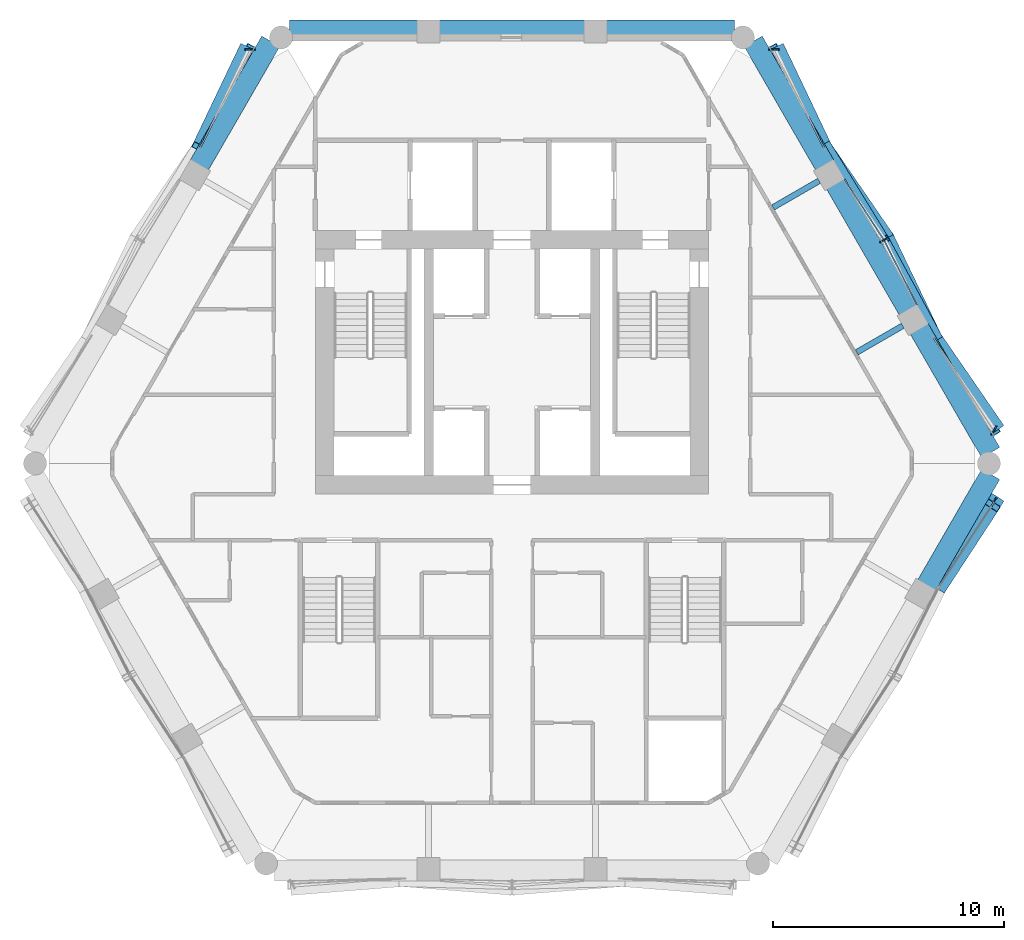
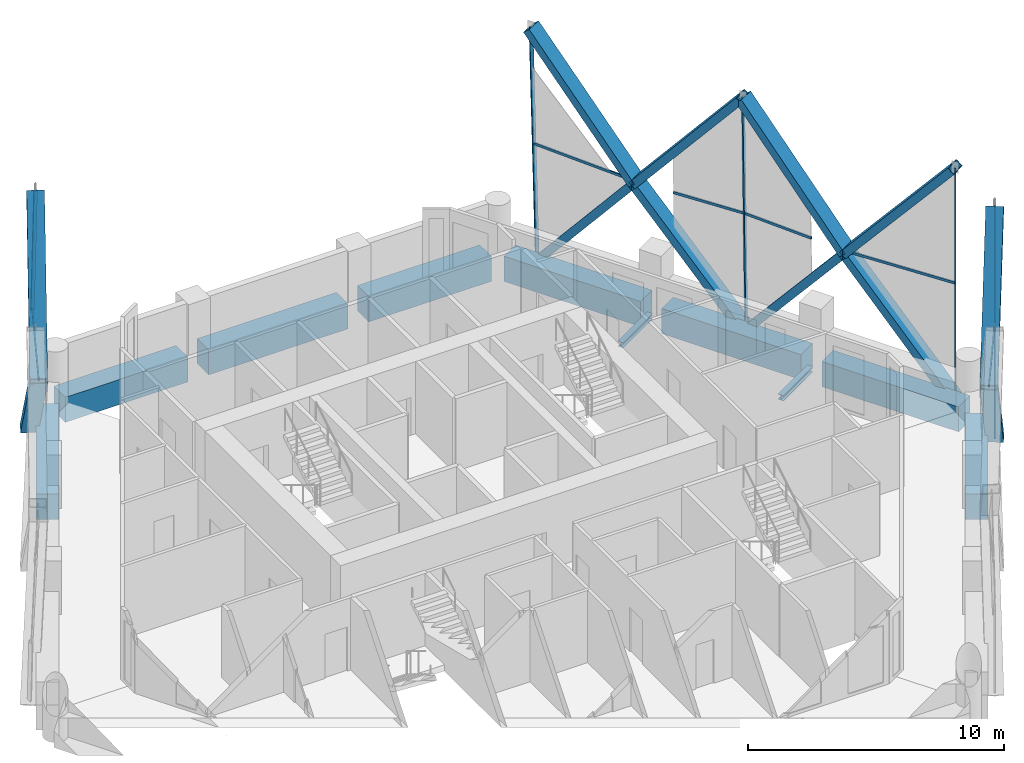
# One storey, part 7 of 18: 28 members, 10 beams, 6 elements without a shape of their own.
"""IFC4 building model written with IfcOpenShell, lengths in metres."""

from ifc_helpers import new_model, si_unit, direction, frame, origin, origin_2d, place, context, subcontext, project, spatial, rectangle, hollow_rectangle, i_section, extrude, material, material_profile, profile_set, type_object, element, aggregate, save


model = new_model("IFC4")

# Units and contexts
model_context = context("Model", 3, precision=1e-05, world=origin(), true_north=direction((0.0, 1.0)))
body_context = subcontext(model_context, "Body", "Model", "MODEL_VIEW")
ifc_project = project(units=[si_unit("LENGTHUNIT", "METRE"), si_unit("AREAUNIT", "SQUARE_METRE"), si_unit("VOLUMEUNIT", "CUBIC_METRE"), si_unit("PLANEANGLEUNIT", "RADIAN"), si_unit("MASSUNIT", "GRAM", prefix="KILO")], contexts=[model_context])

# Site, building, storey
site_placement = place(None, origin())
site = spatial("IfcSite", under=ifc_project, at=site_placement, CompositionType="ELEMENT")
building_placement = place(site_placement, origin())
building = spatial("IfcBuilding", under=site, at=building_placement, Name="Ostrander Bayou Hotel Tower", CompositionType="ELEMENT")
storey_placement = place(building_placement, frame((0.0, 0.0, 175.75)))
storey = spatial("IfcBuildingStorey", under=building, at=storey_placement, Name="L43", CompositionType="ELEMENT", Elevation=175.75)

# Curtain wall, members
ifc_material_1 = material(Name="Aluminium and clear glass", Category="aluminium")
curtain_wall_type = type_object("IfcCurtainWallType", Name="CW-LAT lattice glazing", PredefinedType="NOTDEFINED", material=ifc_material_1)
curtain_wall_1_placement = place(storey_placement, origin())
curtain_wall_1 = element("IfcCurtainWall", 1, at=curtain_wall_1_placement, inside=storey, type_object=curtain_wall_type, Name="CW-LAT L43 NW 1", PredefinedType="NOTDEFINED")
ifc_material_2 = material(Name="Aluminium", Category="aluminium")
ifc_material_profile_1 = material_profile(ifc_material_2, hollow_rectangle(XDim=0.06005859375, YDim=0.159912109375, WallThickness=0.00390625, at=origin_2d()))
ifc_profile_set_1 = profile_set([ifc_material_profile_1], Name="Aluminium")
member_type_1 = type_object("IfcMemberType", Name="CW-LA mullion 60 x 160 mm", PredefinedType="MULLION", material=ifc_profile_set_1)
member_1_placement = place(storey_placement, frame((-11.47119140625, 17.5185546875, -0.60009765625), z_axis=(0.025165638507, 0.0, 0.999683295168), x_axis=(0.0, 1.0, 0.0)))
member_1 = element("IfcMember", 2, at=member_1_placement, type_object=member_type_1, Name="CW-LAT mullion 1", PredefinedType="MULLION", context=body_context, shape_type="SweptSolid", body=[
    extrude(hollow_rectangle(XDim=0.06005859375, YDim=0.159912109375, WallThickness=0.00390625, at=origin_2d()), origin(), (0.0, 0.0, 1.0), 5.626708984375),
])
member_2_placement = place(storey_placement, frame((-11.32958984375, 17.5185546875, 5.02490234375), z_axis=(0.025208999989, 0.0, 0.999682202662), x_axis=(0.0, 1.0, 0.0)))
member_2 = element("IfcMember", 3, at=member_2_placement, type_object=member_type_1, Name="CW-LAT mullion 2", PredefinedType="MULLION", context=body_context, shape_type="SweptSolid", body=[
    extrude(hollow_rectangle(XDim=0.06005859375, YDim=0.159912109375, WallThickness=0.00390625, at=origin_2d()), origin(), (0.0, 0.0, 1.0), 5.626708984375),
])
aggregate(curtain_wall_1, [member_1, member_2])

curtain_wall_2_placement = place(storey_placement, origin())
curtain_wall_2 = element("IfcCurtainWall", 4, at=curtain_wall_2_placement, inside=storey, type_object=curtain_wall_type, Name="CW-LAT L43 SE 1", PredefinedType="NOTDEFINED")
member_3_placement = place(storey_placement, frame((20.906982421875, -1.927978515625, -0.60009765625), z_axis=(-0.012582822759, -0.021781300087, 0.999683573706), x_axis=(0.865898279276, -0.500220121494, 0.0)))
member_3 = element("IfcMember", 5, at=member_3_placement, type_object=member_type_1, Name="CW-LAT mullion 8", PredefinedType="MULLION", context=body_context, shape_type="SweptSolid", body=[
    extrude(hollow_rectangle(XDim=0.06005859375, YDim=0.159912109375, WallThickness=0.00390625, at=origin_2d()), origin(), (0.0, 0.0, 1.0), 5.626708984375),
])
member_4_placement = place(storey_placement, frame((20.836181640625, -2.050537109375, 5.02490234375), z_axis=(-0.012582810856, -0.021824668484, 0.999682627996), x_axis=(0.866328918095, -0.499473928922, 0.0)))
member_4 = element("IfcMember", 6, at=member_4_placement, type_object=member_type_1, Name="CW-LAT mullion 9", PredefinedType="MULLION", context=body_context, shape_type="SweptSolid", body=[
    extrude(hollow_rectangle(XDim=0.06005859375, YDim=0.159912109375, WallThickness=0.00390625, at=origin_2d()), origin(), (0.0, 0.0, 1.0), 5.626708984375),
])
aggregate(curtain_wall_2, [member_3, member_4])

curtain_wall_3_placement = place(storey_placement, origin())
curtain_wall_3 = element("IfcCurtainWall", 7, at=curtain_wall_3_placement, inside=storey, type_object=curtain_wall_type, Name="CW-LAT L43 NE 1", PredefinedType="NOTDEFINED")
member_5_placement = place(storey_placement, frame((20.906982421875, 1.175048828125, -0.60009765625), z_axis=(-0.012582822759, -0.021781300087, 0.999683573706), x_axis=(0.865898279276, -0.500220121494, 0.0)))
member_5 = element("IfcMember", 8, at=member_5_placement, type_object=member_type_1, Name="CW-LAT mullion 1", PredefinedType="MULLION", context=body_context, shape_type="SweptSolid", body=[
    extrude(hollow_rectangle(XDim=0.06005859375, YDim=0.159912109375, WallThickness=0.00390625, at=origin_2d()), origin(), (0.0, 0.0, 1.0), 5.626708984375),
])
member_6_placement = place(storey_placement, frame((20.836181640625, 1.052490234375, 5.02490234375), z_axis=(-0.012582810856, -0.021824668484, 0.999682627996), x_axis=(0.866328918095, -0.499473928922, 0.0)))
member_6 = element("IfcMember", 9, at=member_6_placement, type_object=member_type_1, Name="CW-LAT mullion 2", PredefinedType="MULLION", context=body_context, shape_type="SweptSolid", body=[
    extrude(hollow_rectangle(XDim=0.06005859375, YDim=0.159912109375, WallThickness=0.00390625, at=origin_2d()), origin(), (0.0, 0.0, 1.0), 5.626708984375),
])
member_7_placement = place(storey_placement, frame((16.189208984375, 9.3466796875, -0.60009765625), z_axis=(-0.018919101482, -0.010891501083, 0.999761693007), x_axis=(0.498919206287, -0.866648501757, 0.0)))
member_7 = element("IfcMember", 10, at=member_7_placement, type_object=member_type_1, Name="CW-LAT mullion 4", PredefinedType="MULLION", context=body_context, shape_type="SweptSolid", body=[
    extrude(hollow_rectangle(XDim=0.06005859375, YDim=0.159912109375, WallThickness=0.00390625, at=origin_2d()), origin(), (0.0, 0.0, 1.0), 5.626220703125),
])
member_8_placement = place(storey_placement, frame((16.082763671875, 9.285400390625, 5.02490234375), z_axis=(-0.018875724526, -0.010891510014, 0.999762512817), x_axis=(0.499779910804, -0.866152435058, 0.0)))
member_8 = element("IfcMember", 11, at=member_8_placement, type_object=member_type_1, Name="CW-LAT mullion 5", PredefinedType="MULLION", context=body_context, shape_type="SweptSolid", body=[
    extrude(hollow_rectangle(XDim=0.06005859375, YDim=0.159912109375, WallThickness=0.00390625, at=origin_2d()), origin(), (0.0, 0.0, 1.0), 5.626220703125),
])
member_9_placement = place(storey_placement, frame((11.47119140625, 17.5185546875, -0.60009765625), z_axis=(-0.025165638507, 0.0, 0.999683295168), x_axis=(0.0, -1.0, 0.0)))
member_9 = element("IfcMember", 12, at=member_9_placement, type_object=member_type_1, Name="CW-LAT mullion 8", PredefinedType="MULLION", context=body_context, shape_type="SweptSolid", body=[
    extrude(hollow_rectangle(XDim=0.06005859375, YDim=0.159912109375, WallThickness=0.00390625, at=origin_2d()), origin(), (0.0, 0.0, 1.0), 5.626708984375),
])
member_10_placement = place(storey_placement, frame((11.32958984375, 17.5185546875, 5.02490234375), z_axis=(-0.025208999989, 0.0, 0.999682202662), x_axis=(0.0, -1.0, 0.0)))
member_10 = element("IfcMember", 13, at=member_10_placement, type_object=member_type_1, Name="CW-LAT mullion 9", PredefinedType="MULLION", context=body_context, shape_type="SweptSolid", body=[
    extrude(hollow_rectangle(XDim=0.06005859375, YDim=0.159912109375, WallThickness=0.00390625, at=origin_2d()), origin(), (0.0, 0.0, 1.0), 5.626708984375),
])
aggregate(curtain_wall_3, [member_5, member_6, member_7, member_8, member_9, member_10])

# Curtain wall, member
curtain_wall_4_placement = place(storey_placement, origin())
curtain_wall_4 = element("IfcCurtainWall", 14, at=curtain_wall_4_placement, inside=storey, type_object=curtain_wall_type, Name="CW-LAT L43 NW 2", PredefinedType="NOTDEFINED")
ifc_material_3 = material(Name="Aluminium", Category="aluminium")
ifc_material_profile_2 = material_profile(ifc_material_3, hollow_rectangle(XDim=0.06005859375, YDim=0.1201171875, WallThickness=0.00390625, at=origin_2d()))
ifc_profile_set_2 = profile_set([ifc_material_profile_2], Name="Aluminium")
member_type_2 = type_object("IfcMemberType", Name="CW-LA transom 60 x 120 mm", PredefinedType="USERDEFINED", material=ifc_profile_set_2)
member_11_placement = place(storey_placement, frame((-11.32958984375, 17.5185546875, 5.02490234375), z_axis=(-0.454298403062, -0.890849572585, 0.0), x_axis=(0.890849572585, -0.454298403062, 0.0)))
member_11 = element("IfcMember", 15, at=member_11_placement, type_object=member_type_2, Name="CW-LAT transom 3", ObjectType="TRANSOM", PredefinedType="USERDEFINED", context=body_context, shape_type="SweptSolid", body=[
    extrude(hollow_rectangle(XDim=0.06005859375, YDim=0.1201171875, WallThickness=0.00390625, at=origin_2d()), origin(), (0.0, 0.0, 1.0), 4.759765625),
])
aggregate(curtain_wall_4, [member_11])

curtain_wall_5_placement = place(storey_placement, origin())
curtain_wall_5 = element("IfcCurtainWall", 16, at=curtain_wall_5_placement, inside=storey, type_object=curtain_wall_type, Name="CW-LAT L43 SE 2", PredefinedType="NOTDEFINED")
member_12_placement = place(storey_placement, frame((20.836181640625, -2.050537109375, 5.02490234375), z_axis=(-0.545343273616, -0.838212809447, 0.0), x_axis=(0.838212809447, -0.545343273616, 0.0)))
member_12 = element("IfcMember", 17, at=member_12_placement, type_object=member_type_2, Name="CW-LAT transom 10", ObjectType="TRANSOM", PredefinedType="USERDEFINED", context=body_context, shape_type="SweptSolid", body=[
    extrude(hollow_rectangle(XDim=0.06005859375, YDim=0.1201171875, WallThickness=0.00390625, at=origin_2d()), origin(), (0.0, 0.0, 1.0), 4.327392578125),
])
aggregate(curtain_wall_5, [member_12])

# Curtain wall, members
curtain_wall_6_placement = place(storey_placement, origin())
curtain_wall_6 = element("IfcCurtainWall", 18, at=curtain_wall_6_placement, inside=storey, type_object=curtain_wall_type, Name="CW-LAT L43 NE 2", PredefinedType="NOTDEFINED")
member_13_placement = place(storey_placement, frame((20.836181640625, 1.052490234375, 5.02490234375), z_axis=(-0.544312090852, 0.838882797388, 0.0), x_axis=(-0.838882797388, -0.544312090852, 0.0)))
member_13 = element("IfcMember", 19, at=member_13_placement, type_object=member_type_2, Name="CW-LAT transom 3", ObjectType="TRANSOM", PredefinedType="USERDEFINED", context=body_context, shape_type="SweptSolid", body=[
    extrude(hollow_rectangle(XDim=0.06005859375, YDim=0.1201171875, WallThickness=0.00390625, at=origin_2d()), origin(), (0.0, 0.0, 1.0), 4.759765625),
])
member_14_placement = place(storey_placement, frame((16.082763671875, 9.285400390625, 5.02490234375), z_axis=(0.454361451248, -0.890817417668, 0.0), x_axis=(0.890817417668, 0.454361451248, 0.0)))
member_14 = element("IfcMember", 20, at=member_14_placement, type_object=member_type_2, Name="CW-LAT transom 6", ObjectType="TRANSOM", PredefinedType="USERDEFINED", context=body_context, shape_type="SweptSolid", body=[
    extrude(hollow_rectangle(XDim=0.06005859375, YDim=0.1201171875, WallThickness=0.00390625, at=origin_2d()), origin(), (0.0, 0.0, 1.0), 3.122314453125),
])
member_15_placement = place(storey_placement, frame((16.082763671875, 9.285400390625, 5.02490234375), z_axis=(-0.544317538118, 0.838879262884, 0.0), x_axis=(-0.838879262884, -0.544317538118, 0.0)))
member_15 = element("IfcMember", 21, at=member_15_placement, type_object=member_type_2, Name="CW-LAT transom 7", ObjectType="TRANSOM", PredefinedType="USERDEFINED", context=body_context, shape_type="SweptSolid", body=[
    extrude(hollow_rectangle(XDim=0.06005859375, YDim=0.1201171875, WallThickness=0.00390625, at=origin_2d()), origin(), (0.0, 0.0, 1.0), 3.1220703125),
])
member_16_placement = place(storey_placement, frame((11.32958984375, 17.5185546875, 5.02490234375), z_axis=(0.454298403062, -0.890849572585, 0.0), x_axis=(0.890849572585, 0.454298403062, 0.0)))
member_16 = element("IfcMember", 22, at=member_16_placement, type_object=member_type_2, Name="CW-LAT transom 10", ObjectType="TRANSOM", PredefinedType="USERDEFINED", context=body_context, shape_type="SweptSolid", body=[
    extrude(hollow_rectangle(XDim=0.06005859375, YDim=0.1201171875, WallThickness=0.00390625, at=origin_2d()), origin(), (0.0, 0.0, 1.0), 4.759765625),
])
aggregate(curtain_wall_6, [member_13, member_14, member_15, member_16])

# Beams
ifc_material_4 = material(Name="Steel ASTM A992", Category="steel")
ifc_material_profile_3 = material_profile(ifc_material_4, i_section(OverallWidth=0.25390625, OverallDepth=0.25341796875, WebThickness=0.008544921875, FlangeThickness=0.01416015625, at=origin_2d()))
ifc_profile_set_3 = profile_set([ifc_material_profile_3], Name="Steel ASTM A992")
beam_type_1 = type_object("IfcBeamType", Name="LB2 loggia bracket W10x49", PredefinedType="BEAM", material=ifc_profile_set_3)
for number, where, z_axis, x_axis, name in (
    (23, (16.898193359375, 5.57861328125, -0.4267578125), (-0.865980515519, -0.500077740698, 0.0), (0.500077740698, -0.865980515519, 0.0), "LB2 L43 NE1"),
    (24, (13.2802734375, 11.84521484375, -0.4267578125), (-0.866007057882, -0.500031774688, 0.0), (0.500031774688, -0.866007057882, 0.0), "LB2 L43 NE2"),
):
    element("IfcBeam", number, at=place(storey_placement, frame(where, z_axis=z_axis, x_axis=x_axis)), inside=storey, type_object=beam_type_1, Name=name, PredefinedType="BEAM", context=body_context, shape_type="SweptSolid", body=[
        extrude(i_section(OverallWidth=0.25390625, OverallDepth=0.25341796875, WebThickness=0.008544921875, FlangeThickness=0.01416015625, at=origin_2d()), origin(), (0.0, 0.0, 1.0), 2.300048828125),
    ])

# Members
ifc_material_5 = material(Name="Steel ASTM A572 Gr 50", Category="steel")
ifc_material_profile_4 = material_profile(ifc_material_5, hollow_rectangle(XDim=0.699951171875, YDim=0.35009765625, WallThickness=0.02490234375, at=origin_2d()))
ifc_profile_set_4 = profile_set([ifc_material_profile_4], Name="Steel ASTM A572 Gr 50")
member_type_3 = type_object("IfcMemberType", Name="LT1 lattice member box 700 x 350 x 25 mm", PredefinedType="BRACE", material=ifc_profile_set_4)
member_17_placement = place(storey_placement, frame((-13.491943359375, 13.2783203125, 5.02490234375), z_axis=(0.275747193678, 0.578612692981, -0.767574645686), x_axis=(-0.902728853807, 0.430209967927, 0.0)))
element("IfcMember", 25, at=member_17_placement, inside=storey, type_object=member_type_3, Name="LT1 L43 NW 1", PredefinedType="BRACE", context=body_context, shape_type="SweptSolid", body=[
    extrude(hollow_rectangle(XDim=0.699951171875, YDim=0.35009765625, WallThickness=0.02490234375, at=origin_2d()), origin(), (0.0, 0.0, 1.0), 7.328369140625),
])
member_18_placement = place(storey_placement, frame((-13.491943359375, 13.2783203125, 5.02490234375), z_axis=(0.310897348328, 0.572119638245, 0.758961104627), x_axis=(-0.878648502299, 0.477469171159, 0.0)))
element("IfcMember", 26, at=member_18_placement, inside=storey, type_object=member_type_3, Name="LT1 L43 NW 2", PredefinedType="BRACE", context=body_context, shape_type="SweptSolid", body=[
    extrude(hollow_rectangle(XDim=0.699951171875, YDim=0.35009765625, WallThickness=0.02490234375, at=origin_2d()), origin(), (0.0, 0.0, 1.0), 7.411376953125),
])
member_19_placement = place(storey_placement, frame((18.476318359375, -5.677734375, 5.02490234375), z_axis=(0.338345530003, 0.521961530265, -0.782993271523), x_axis=(-0.839125740998, 0.543937487947, 0.0)))
element("IfcMember", 27, at=member_19_placement, inside=storey, type_object=member_type_3, Name="LT1 L43 SE 7", PredefinedType="BRACE", context=body_context, shape_type="SweptSolid", body=[
    extrude(hollow_rectangle(XDim=0.699951171875, YDim=0.35009765625, WallThickness=0.02490234375, at=origin_2d()), origin(), (0.0, 0.0, 1.0), 7.18408203125),
])
member_20_placement = place(storey_placement, frame((18.476318359375, -5.677734375, 5.02490234375), z_axis=(0.326472312106, 0.499806267914, 0.802252780601), x_axis=(-0.837218185716, 0.546869005801, 0.0)))
element("IfcMember", 28, at=member_20_placement, inside=storey, type_object=member_type_3, Name="LT1 L43 SE 8", PredefinedType="BRACE", context=body_context, shape_type="SweptSolid", body=[
    extrude(hollow_rectangle(XDim=0.699951171875, YDim=0.35009765625, WallThickness=0.02490234375, at=origin_2d()), origin(), (0.0, 0.0, 1.0), 7.011474609375),
])
member_21_placement = place(storey_placement, frame((18.245361328125, 5.04541015625, 5.02490234375), z_axis=(0.363195696727, -0.528136248414, -0.767568230837), x_axis=(0.82396760731, 0.566636904996, 0.0)))
element("IfcMember", 29, at=member_21_placement, inside=storey, type_object=member_type_3, Name="LT1 L43 NE 1", PredefinedType="BRACE", context=body_context, shape_type="SweptSolid", body=[
    extrude(hollow_rectangle(XDim=0.699951171875, YDim=0.35009765625, WallThickness=0.02490234375, at=origin_2d()), origin(), (0.0, 0.0, 1.0), 7.328369140625),
])
member_22_placement = place(storey_placement, frame((18.245361328125, 5.04541015625, 5.02490234375), z_axis=(0.340014889443, -0.555315927749, 0.758955924507), x_axis=(0.852833832601, 0.522182395309, 0.0)))
element("IfcMember", 30, at=member_22_placement, inside=storey, type_object=member_type_3, Name="LT1 L43 NE 2", PredefinedType="BRACE", context=body_context, shape_type="SweptSolid", body=[
    extrude(hollow_rectangle(XDim=0.699951171875, YDim=0.35009765625, WallThickness=0.02490234375, at=origin_2d()), origin(), (0.0, 0.0, 1.0), 7.411376953125),
])
member_23_placement = place(storey_placement, frame((18.245361328125, 5.04541015625, 5.02490234375), z_axis=(-0.27885497061, 0.583337315627, -0.762861377685), x_axis=(-0.902213935924, -0.431288782401, 0.0)))
element("IfcMember", 31, at=member_23_placement, inside=storey, type_object=member_type_3, Name="LT1 L43 NE 3", PredefinedType="BRACE", context=body_context, shape_type="SweptSolid", body=[
    extrude(hollow_rectangle(XDim=0.699951171875, YDim=0.35009765625, WallThickness=0.02490234375, at=origin_2d()), origin(), (0.0, 0.0, 1.0), 7.37353515625),
])
member_24_placement = place(storey_placement, frame((18.245361328125, 5.04541015625, 5.02490234375), z_axis=(-0.308033056953, 0.567340342496, 0.763701886603), x_axis=(-0.878822059423, -0.477149649347, 0.0)))
element("IfcMember", 32, at=member_24_placement, inside=storey, type_object=member_type_3, Name="LT1 L43 NE 4", PredefinedType="BRACE", context=body_context, shape_type="SweptSolid", body=[
    extrude(hollow_rectangle(XDim=0.699951171875, YDim=0.35009765625, WallThickness=0.02490234375, at=origin_2d()), origin(), (0.0, 0.0, 1.0), 7.365478515625),
])
member_25_placement = place(storey_placement, frame((13.491943359375, 13.2783203125, 5.02490234375), z_axis=(0.365787966851, -0.533186949509, -0.762830807047), x_axis=(0.82460327865, 0.565711439551, 0.0)))
element("IfcMember", 33, at=member_25_placement, inside=storey, type_object=member_type_3, Name="LT1 L43 NE 5", PredefinedType="BRACE", context=body_context, shape_type="SweptSolid", body=[
    extrude(hollow_rectangle(XDim=0.699951171875, YDim=0.35009765625, WallThickness=0.02490234375, at=origin_2d()), origin(), (0.0, 0.0, 1.0), 7.373779296875),
])
member_26_placement = place(storey_placement, frame((13.491943359375, 13.2783203125, 5.02490234375), z_axis=(0.337332356097, -0.550431473455, 0.763696323522), x_axis=(0.852621175812, 0.522529549936, 0.0)))
element("IfcMember", 34, at=member_26_placement, inside=storey, type_object=member_type_3, Name="LT1 L43 NE 6", PredefinedType="BRACE", context=body_context, shape_type="SweptSolid", body=[
    extrude(hollow_rectangle(XDim=0.699951171875, YDim=0.35009765625, WallThickness=0.02490234375, at=origin_2d()), origin(), (0.0, 0.0, 1.0), 7.365478515625),
])
member_27_placement = place(storey_placement, frame((13.491943359375, 13.2783203125, 5.02490234375), z_axis=(-0.275747193678, 0.578612692981, -0.767574645686), x_axis=(-0.902728853807, -0.430209967927, 0.0)))
element("IfcMember", 35, at=member_27_placement, inside=storey, type_object=member_type_3, Name="LT1 L43 NE 7", PredefinedType="BRACE", context=body_context, shape_type="SweptSolid", body=[
    extrude(hollow_rectangle(XDim=0.699951171875, YDim=0.35009765625, WallThickness=0.02490234375, at=origin_2d()), origin(), (0.0, 0.0, 1.0), 7.328369140625),
])
member_28_placement = place(storey_placement, frame((13.491943359375, 13.2783203125, 5.02490234375), z_axis=(-0.310897348328, 0.572119638245, 0.758961104627), x_axis=(-0.878648502299, -0.477469171159, 0.0)))
element("IfcMember", 36, at=member_28_placement, inside=storey, type_object=member_type_3, Name="LT1 L43 NE 8", PredefinedType="BRACE", context=body_context, shape_type="SweptSolid", body=[
    extrude(hollow_rectangle(XDim=0.699951171875, YDim=0.35009765625, WallThickness=0.02490234375, at=origin_2d()), origin(), (0.0, 0.0, 1.0), 7.411376953125),
])

# Beams
ifc_material_6 = material(Name="Concrete f'c 60 MPa", Category="concrete")
ifc_material_profile_5 = material_profile(ifc_material_6, rectangle(XDim=0.89990234375, YDim=1.199951171875, at=origin_2d()))
ifc_profile_set_5 = profile_set([ifc_material_profile_5], Name="Concrete f'c 60 MPa")
beam_type_2 = type_object("IfcBeamType", Name="SP3 spandrel beam 900 x 1200 mm f'c 60 MPa", PredefinedType="SPANDREL", material=ifc_profile_set_5)
beam_1_placement = place(storey_placement, frame((9.617431640625, 18.35009765625, -0.60009765625), z_axis=(-1.0, 0.0, 0.0), x_axis=(0.0, -1.0, 0.0)))
element("IfcBeam", 37, at=beam_1_placement, inside=storey, type_object=beam_type_2, Name="SP3 L43 N-1", PredefinedType="SPANDREL", context=body_context, shape_type="SweptSolid", body=[
    extrude(rectangle(XDim=0.89990234375, YDim=1.199951171875, at=origin_2d()), origin(), (0.0, 0.0, 1.0), 5.529296875),
])
beam_2_placement = place(storey_placement, frame((3.148193359375, 18.35009765625, -0.60009765625), z_axis=(-1.0, 0.0, 0.0), x_axis=(0.0, -1.0, 0.0)))
element("IfcBeam", 38, at=beam_2_placement, inside=storey, type_object=beam_type_2, Name="SP3 L43 N-2", PredefinedType="SPANDREL", context=body_context, shape_type="SweptSolid", body=[
    extrude(rectangle(XDim=0.89990234375, YDim=1.199951171875, at=origin_2d()), origin(), (0.0, 0.0, 1.0), 6.29638671875),
])
beam_3_placement = place(storey_placement, frame((-4.088134765625, 18.35009765625, -0.60009765625), z_axis=(-1.0, 0.0, 0.0), x_axis=(0.0, -1.0, 0.0)))
element("IfcBeam", 39, at=beam_3_placement, inside=storey, type_object=beam_type_2, Name="SP3 L43 N-3", PredefinedType="SPANDREL", context=body_context, shape_type="SweptSolid", body=[
    extrude(rectangle(XDim=0.89990234375, YDim=1.199951171875, at=origin_2d()), origin(), (0.0, 0.0, 1.0), 5.529296875),
])
beam_4_placement = place(storey_placement, frame((-10.430908203125, 17.88037109375, -0.60009765625), z_axis=(-0.49998343065, -0.866034969892, 0.0), x_axis=(0.866034969892, -0.49998343065, 0.0)))
element("IfcBeam", 40, at=beam_4_placement, inside=storey, type_object=beam_type_2, Name="SP3 L43 NW-1", PredefinedType="SPANDREL", context=body_context, shape_type="SweptSolid", body=[
    extrude(rectangle(XDim=0.89990234375, YDim=1.199951171875, at=origin_2d()), origin(), (0.0, 0.0, 1.0), 6.181396484375),
])
beam_5_placement = place(storey_placement, frame((17.935546875, -5.634521484375, -0.60009765625), z_axis=(0.500014212531, 0.86601719802, 0.0), x_axis=(-0.86601719802, 0.500014212531, 0.0)))
element("IfcBeam", 41, at=beam_5_placement, inside=storey, type_object=beam_type_2, Name="SP3 L43 SE-3", PredefinedType="SPANDREL", context=body_context, shape_type="SweptSolid", body=[
    extrude(rectangle(XDim=0.89990234375, YDim=1.199951171875, at=origin_2d()), origin(), (0.0, 0.0, 1.0), 5.529052734375),
])
beam_6_placement = place(storey_placement, frame((20.7001953125, 0.09326171875, -0.60009765625), z_axis=(-0.500000533151, 0.866025095969, 0.0), x_axis=(-0.866025095969, -0.500000533151, 0.0)))
element("IfcBeam", 42, at=beam_6_placement, inside=storey, type_object=beam_type_2, Name="SP3 L43 NE-1", PredefinedType="SPANDREL", context=body_context, shape_type="SweptSolid", body=[
    extrude(rectangle(XDim=0.89990234375, YDim=1.199951171875, at=origin_2d()), origin(), (0.0, 0.0, 1.0), 6.18115234375),
])
beam_7_placement = place(storey_placement, frame((17.1396484375, 6.260498046875, -0.60009765625), z_axis=(-0.499984268907, 0.866034485945, 0.0), x_axis=(-0.866034485945, -0.499984268907, 0.0)))
element("IfcBeam", 43, at=beam_7_placement, inside=storey, type_object=beam_type_2, Name="SP3 L43 NE-2", PredefinedType="SPANDREL", context=body_context, shape_type="SweptSolid", body=[
    extrude(rectangle(XDim=0.89990234375, YDim=1.199951171875, at=origin_2d()), origin(), (0.0, 0.0, 1.0), 6.296142578125),
])
beam_8_placement = place(storey_placement, frame((13.521484375, 12.527099609375, -0.60009765625), z_axis=(-0.49998343065, 0.866034969892, 0.0), x_axis=(-0.866034969892, -0.49998343065, 0.0)))
element("IfcBeam", 44, at=beam_8_placement, inside=storey, type_object=beam_type_2, Name="SP3 L43 NE-3", PredefinedType="SPANDREL", context=body_context, shape_type="SweptSolid", body=[
    extrude(rectangle(XDim=0.89990234375, YDim=1.199951171875, at=origin_2d()), origin(), (0.0, 0.0, 1.0), 6.181396484375),
])

save(model, "model.ifc")
